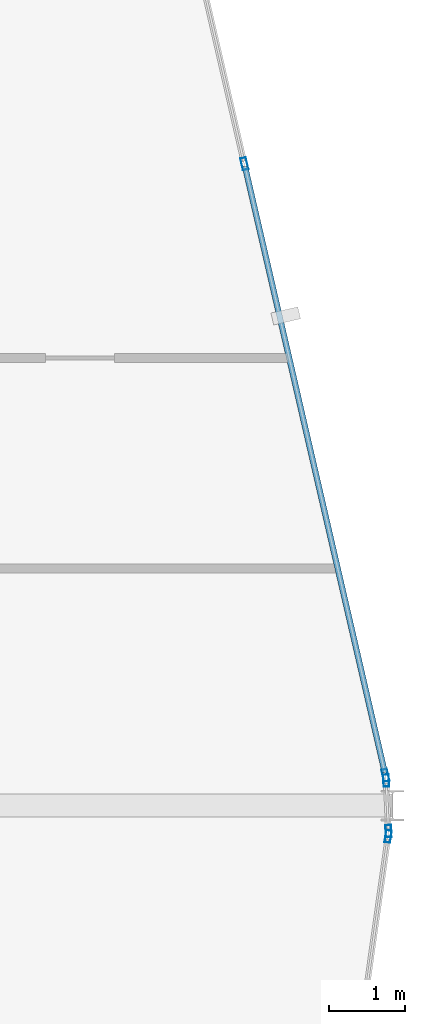
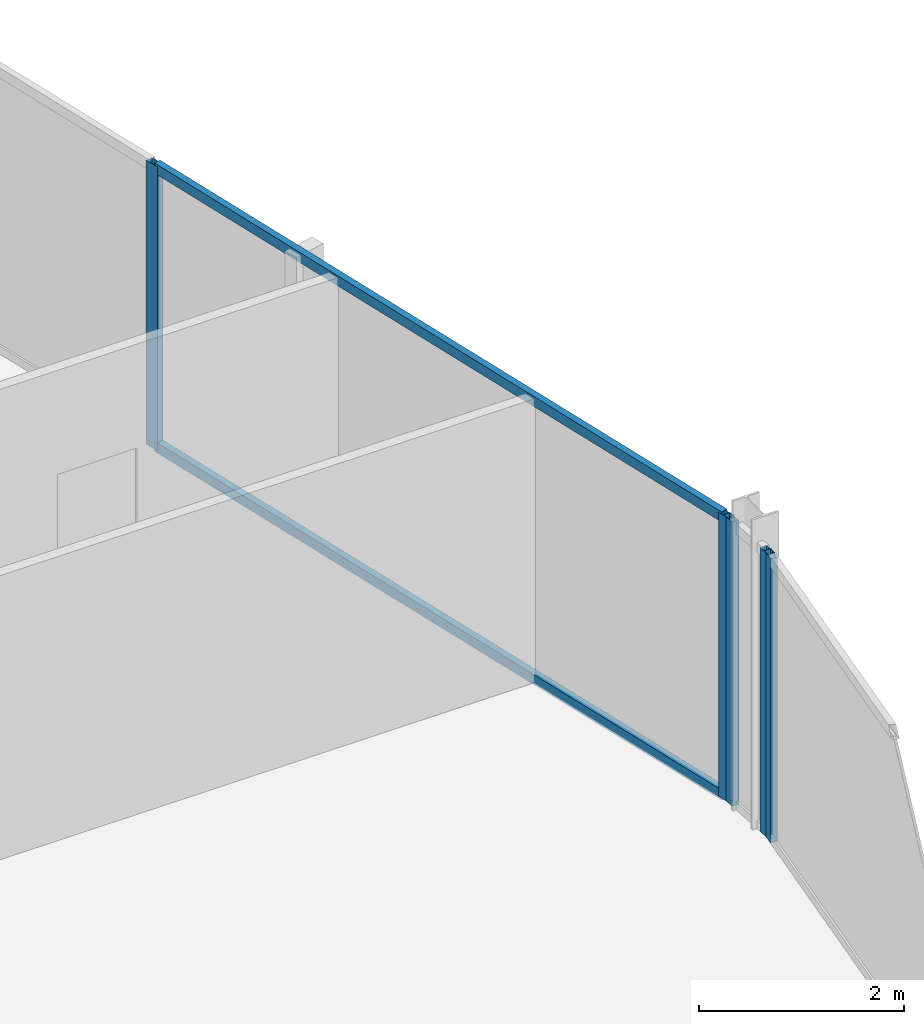
# One storey, part 14 of 27: 7 members, 3 elements without a shape of their own.
"""IFC4 building model written with IfcOpenShell, lengths in metres."""

from ifc_helpers import new_model, si_unit, direction, frame, origin, origin_2d, place, context, subcontext, project, spatial, hollow_rectangle, extrude, material, layer, layer_set, material_profile, profile_set, type_object, element, aggregate, save


model = new_model("IFC4")

# Units and contexts
model_context = context("Model", 3, precision=1e-05, world=origin(), true_north=direction((0.0, 1.0)))
body_context = subcontext(model_context, "Body", "Model", "MODEL_VIEW")
ifc_project = project(units=[si_unit("LENGTHUNIT", "METRE"), si_unit("AREAUNIT", "SQUARE_METRE"), si_unit("VOLUMEUNIT", "CUBIC_METRE"), si_unit("PLANEANGLEUNIT", "RADIAN"), si_unit("MASSUNIT", "GRAM", prefix="KILO")], contexts=[model_context])

# Site, building, storey
site_placement = place(None, origin())
site = spatial("IfcSite", under=ifc_project, at=site_placement, CompositionType="ELEMENT")
building_placement = place(site_placement, origin())
building = spatial("IfcBuilding", under=site, at=building_placement, Name="Keshet Zoharim Tower", CompositionType="ELEMENT")
storey_placement = place(building_placement, frame((0.0, 0.0, 273.199951171875)))
storey = spatial("IfcBuildingStorey", under=building, at=storey_placement, Name="L68", CompositionType="ELEMENT", Elevation=273.199951171875)

# Curtain wall, members
ifc_material = material(Name="Aluminium 6063-T6", Category="aluminium")
ifc_layer = layer(ifc_material, 0.260009765625)
ifc_layer_set = layer_set([ifc_layer], Name="Aluminium 6063-T6")
curtain_wall_type = type_object("IfcCurtainWallType", Name="CW-SYS-06", PredefinedType="NOTDEFINED", material=ifc_layer_set)
curtain_wall_1_placement = place(storey_placement, origin())
curtain_wall_1 = element("IfcCurtainWall", 1, at=curtain_wall_1_placement, inside=storey, type_object=curtain_wall_type, Name="L68 Unitised Curtain Wall 09", PredefinedType="NOTDEFINED")
ifc_material_profile_1 = material_profile(ifc_material, hollow_rectangle(XDim=0.074951171875, YDim=0.159912109375, WallThickness=0.00390625, at=origin_2d()), Name="MUL-75x160")
ifc_profile_set_1 = profile_set([ifc_material_profile_1], Name="Aluminium 6063-T6")
member_type_1 = type_object("IfcMemberType", Name="CWM-M15", PredefinedType="MULLION", material=ifc_profile_set_1)
member_1_placement = place(storey_placement, frame((43.063232421875, 36.291259765625, 0.0), z_axis=(0.0, 0.0, 1.0), x_axis=(0.974398012932, 0.224829963294, 0.0)))
member_1 = element("IfcMember", 2, at=member_1_placement, type_object=member_type_1, Name="CW-06 mullion 3", PredefinedType="MULLION", context=body_context, shape_type="SweptSolid", body=[
    extrude(hollow_rectangle(XDim=0.074951171875, YDim=0.159912109375, WallThickness=0.00390625, at=origin_2d()), origin(), (0.0, 0.0, 1.0), 3.39013671875),
])
member_2_placement = place(storey_placement, frame((44.908203125, 28.296142578125, 0.0), z_axis=(0.0, 0.0, 1.0), x_axis=(0.974398012932, 0.224829963294, 0.0)))
member_2 = element("IfcMember", 3, at=member_2_placement, type_object=member_type_1, Name="CW-06 mullion 4", PredefinedType="MULLION", context=body_context, shape_type="SweptSolid", body=[
    extrude(hollow_rectangle(XDim=0.074951171875, YDim=0.159912109375, WallThickness=0.00390625, at=origin_2d()), origin(), (0.0, 0.0, 1.0), 3.39013671875),
])

curtain_wall_2_placement = place(storey_placement, origin())
curtain_wall_2 = element("IfcCurtainWall", 4, at=curtain_wall_2_placement, inside=storey, type_object=curtain_wall_type, Name="L68 Unitised Curtain Wall 10", PredefinedType="NOTDEFINED")
member_3_placement = place(storey_placement, frame((44.91748046875, 28.22705078125, 0.0), z_axis=(0.0, 0.0, 1.0), x_axis=(0.999040601801, 0.043793560626, 0.0)))
member_3 = element("IfcMember", 5, at=member_3_placement, type_object=member_type_1, Name="CW-06 mullion 1", PredefinedType="MULLION", context=body_context, shape_type="SweptSolid", body=[
    extrude(hollow_rectangle(XDim=0.074951171875, YDim=0.159912109375, WallThickness=0.00390625, at=origin_2d()), origin(), (0.0, 0.0, 1.0), 3.39013671875),
])
member_4_placement = place(storey_placement, frame((44.946533203125, 27.56689453125, 0.0), z_axis=(0.0, 0.0, 1.0), x_axis=(0.999040601801, 0.043793560626, 0.0)))
member_4 = element("IfcMember", 6, at=member_4_placement, type_object=member_type_1, Name="CW-06 mullion 2", PredefinedType="MULLION", context=body_context, shape_type="SweptSolid", body=[
    extrude(hollow_rectangle(XDim=0.074951171875, YDim=0.159912109375, WallThickness=0.00390625, at=origin_2d()), origin(), (0.0, 0.0, 1.0), 3.39013671875),
])
aggregate(curtain_wall_2, [member_3, member_4])

# Curtain wall, member
curtain_wall_3_placement = place(storey_placement, origin())
curtain_wall_3 = element("IfcCurtainWall", 7, at=curtain_wall_3_placement, inside=storey, type_object=curtain_wall_type, Name="L68 Unitised Curtain Wall 11", PredefinedType="NOTDEFINED")
member_5_placement = place(storey_placement, frame((44.943115234375, 27.497314453125, 0.0), z_axis=(0.0, 0.0, 1.0), x_axis=(0.990132057422, -0.140137464177, 0.0)))
member_5 = element("IfcMember", 8, at=member_5_placement, type_object=member_type_1, Name="CW-06 mullion 1", PredefinedType="MULLION", context=body_context, shape_type="SweptSolid", body=[
    extrude(hollow_rectangle(XDim=0.074951171875, YDim=0.159912109375, WallThickness=0.00390625, at=origin_2d()), origin(), (0.0, 0.0, 1.0), 3.39013671875),
])
aggregate(curtain_wall_3, [member_5])

# Member
ifc_material_profile_2 = material_profile(ifc_material, hollow_rectangle(XDim=0.074951171875, YDim=0.1201171875, WallThickness=0.00390625, at=origin_2d()), Name="TRN-75x120")
ifc_profile_set_2 = profile_set([ifc_material_profile_2], Name="Aluminium 6063-T6")
member_type_2 = type_object("IfcMemberType", Name="CWT-T12", PredefinedType="USERDEFINED", material=ifc_profile_set_2)
member_6_placement = place(storey_placement, frame((43.0712890625, 36.25732421875, 0.03515625), z_axis=(0.224806904107, -0.974403333259, 0.0), x_axis=(0.974403333259, 0.224806904107, 0.0)))
member_6 = element("IfcMember", 9, at=member_6_placement, type_object=member_type_2, Name="CW-06 transom 3.1", ObjectType="TRANSOM", PredefinedType="USERDEFINED", context=body_context, shape_type="SweptSolid", body=[
    extrude(hollow_rectangle(XDim=0.074951171875, YDim=0.1201171875, WallThickness=0.00390625, at=origin_2d()), origin(), (0.0, 0.0, 1.0), 8.13525390625),
])

member_7_placement = place(storey_placement, frame((43.0712890625, 36.25732421875, 3.35498046875), z_axis=(0.224806904107, -0.974403333259, 0.0), x_axis=(0.974403333259, 0.224806904107, 0.0)))
member_7 = element("IfcMember", 10, at=member_7_placement, type_object=member_type_2, Name="CW-06 transom 3.2", ObjectType="TRANSOM", PredefinedType="USERDEFINED", context=body_context, shape_type="SweptSolid", body=[
    extrude(hollow_rectangle(XDim=0.074951171875, YDim=0.1201171875, WallThickness=0.00390625, at=origin_2d()), origin(), (0.0, 0.0, 1.0), 8.13525390625),
])

aggregate(curtain_wall_1, [member_1, member_2, member_6, member_7])

save(model, "model.ifc")
